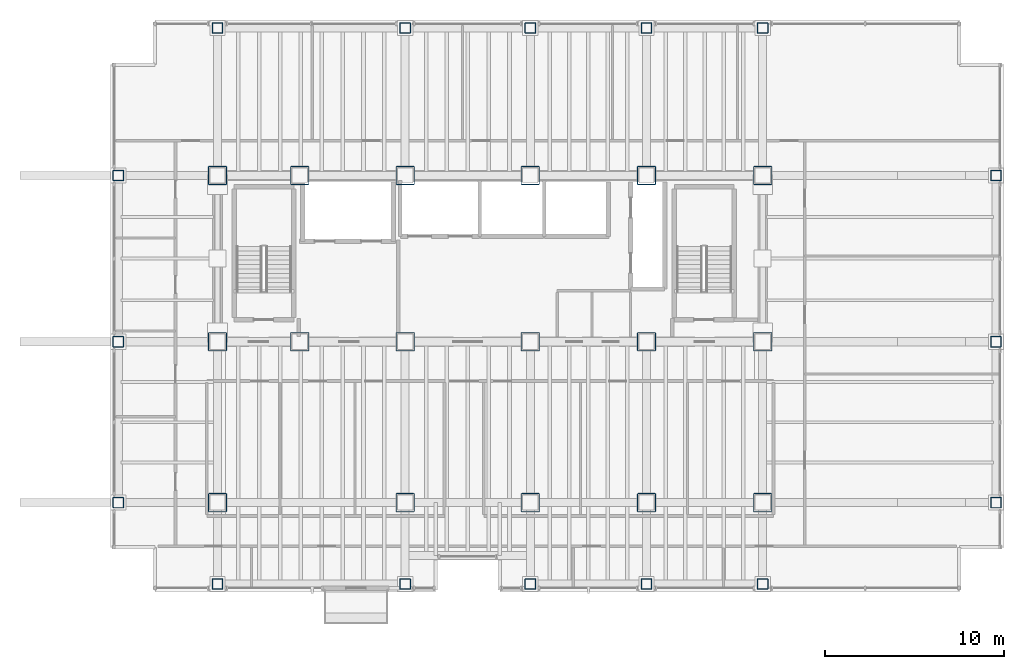
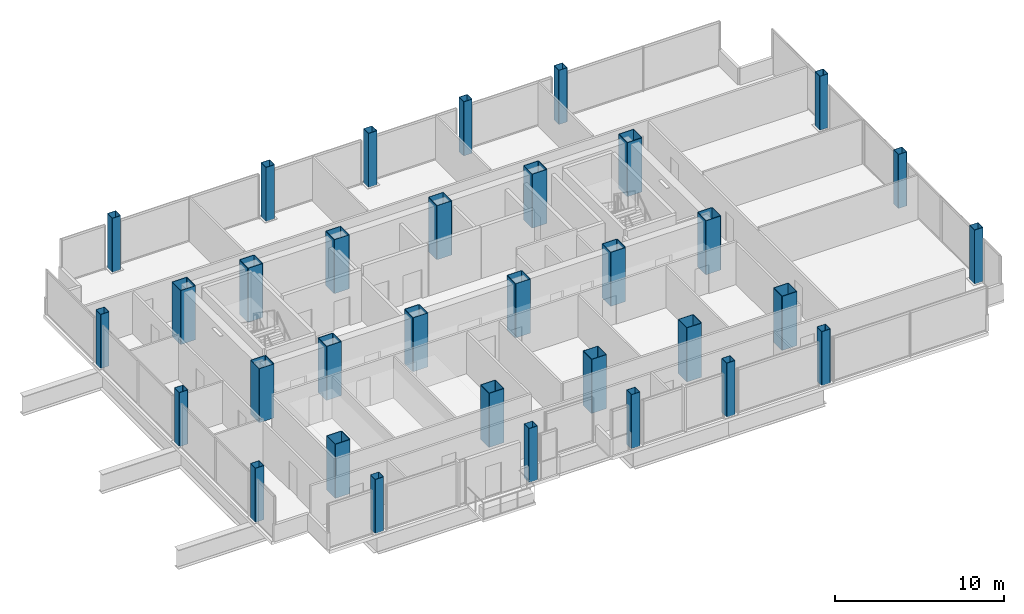
# One storey, part 1 of 23: 33 columns.
"""IFC4 building model written with IfcOpenShell, lengths in metres."""

import ifcopenshell
import ifcopenshell.guid

model = None  # the IFC model being written
_history = None  # IfcOwnerHistory: only IFC2X3 demands one
_inside = {}  # id of a spatial element -> (the spatial element, [elements in it])
_under = {}  # id of a project, library or spatial element -> (it, [spatial elements below it])
_declared = {}  # id of a project -> (the project, [libraries it declares])
_typed = {}  # id of a type object -> (the type object, [elements of that type])
_made_of = {}  # id of a material, layer set ... -> (it, [elements and type objects made of it])


def new_model(schema):
    """Start an empty IFC model of exactly this schema.

    Asked for "IFC4X3", IfcOpenShell would pick the latest addendum, in which some entities
    have other attributes; the version numbers below select the first issue.
    IFC2X3 requires an IfcOwnerHistory on every rooted entity: one is made here for all.
    """
    global model, _history
    if schema == "IFC4X3":
        model = ifcopenshell.file(schema_version=(4, 3, 0, 0))
    else:
        model = ifcopenshell.file(schema=schema)
    _inside.clear()
    _under.clear()
    _declared.clear()
    _typed.clear()
    _made_of.clear()
    _history = None
    if model.schema == "IFC2X3":
        org = make("IfcOrganization", Name="unknown")
        user = make(
            "IfcPersonAndOrganization",
            ThePerson=make("IfcPerson", FamilyName="unknown"),
            TheOrganization=org,
        )
        app = make(
            "IfcApplication",
            ApplicationDeveloper=org,
            Version="unknown",
            ApplicationFullName="unknown",
            ApplicationIdentifier="unknown",
        )
        _history = make(
            "IfcOwnerHistory",
            OwningUser=user,
            OwningApplication=app,
            ChangeAction="ADDED",
            CreationDate=0,
        )
    return model


def make(cls, **values):
    """One entity of the class cls with the attributes given. An attribute that is None is left unset."""
    return model.create_entity(
        cls, **{name: value for name, value in values.items() if value is not None}
    )


def rooted(cls, **values):
    """An entity with a GlobalId (a new one), such as an element, a storey or a relation."""
    return make(cls, GlobalId=ifcopenshell.guid.new(), OwnerHistory=_history, **values)


def si_unit(unit_type, name, prefix=None):
    """IfcSIUnit, for example si_unit("LENGTHUNIT", "METRE", prefix="MILLI")."""
    return make("IfcSIUnit", UnitType=unit_type, Prefix=prefix, Name=name)


def assignment(units):
    """IfcUnitAssignment: the units of a project."""
    return None if units is None else make("IfcUnitAssignment", Units=units)


def point(xyz):
    """IfcCartesianPoint."""
    return None if xyz is None else make("IfcCartesianPoint", Coordinates=xyz)


def direction(xyz):
    """IfcDirection."""
    return None if xyz is None else make("IfcDirection", DirectionRatios=xyz)


def frame(location, z_axis=None, x_axis=None):
    """IfcAxis2Placement3D, a coordinate frame: its origin and axes. An axis left out is left unset."""
    return make(
        "IfcAxis2Placement3D",
        Location=point(location),
        Axis=direction(z_axis),
        RefDirection=direction(x_axis),
    )


def frame_2d(location, x_axis=None):
    """IfcAxis2Placement2D, a coordinate frame in the plane: its origin and x axis."""
    return make(
        "IfcAxis2Placement2D", Location=point(location), RefDirection=direction(x_axis)
    )


def origin():
    """The frame at (0, 0, 0) with its axes left unset."""
    return frame((0.0, 0.0, 0.0))


def origin_2d():
    """The frame at (0, 0) in the plane with its x axis left unset."""
    return frame_2d((0.0, 0.0))


def place(relative_to, where):
    """IfcLocalPlacement: puts the frame where relative to a parent placement (None: the world)."""
    return make(
        "IfcLocalPlacement", PlacementRelTo=relative_to, RelativePlacement=where
    )


def context(
    kind, dimensions, precision=None, world=None, true_north=None, identifier=None
):
    """IfcGeometricRepresentationContext, for example the 3D "Model" context."""
    return make(
        "IfcGeometricRepresentationContext",
        ContextIdentifier=identifier,
        ContextType=kind,
        CoordinateSpaceDimension=dimensions,
        Precision=precision,
        WorldCoordinateSystem=world,
        TrueNorth=true_north,
    )


def subcontext(parent, identifier, kind, view, scale=None):
    """IfcGeometricRepresentationSubContext, for example "Body" below "Model"."""
    return make(
        "IfcGeometricRepresentationSubContext",
        ContextIdentifier=identifier,
        ContextType=kind,
        ParentContext=parent,
        TargetScale=scale,
        TargetView=view,
    )


def project(units=None, contexts=None):
    """IfcProject with its units and contexts."""
    return rooted(
        "IfcProject",
        Name="project",
        RepresentationContexts=contexts,
        UnitsInContext=assignment(units),
    )


def spatial(cls, under=None, at=None, **own):
    """A site, building, storey or space (cls), placed at a placement, below another one or the project."""
    s = rooted(cls, ObjectPlacement=at, **own)
    if under is not None:
        _under.setdefault(under.id(), (under, []))[1].append(s)
    return s


def profile(cls, at=None, kind="AREA", **sizes):
    """A parametric profile (cls). Its sizes go by their IFC names, for example OverallWidth=200.0."""
    return make(cls, ProfileType=kind, Position=at, **sizes)


def hollow_rectangle(**sizes):
    """IfcRectangleHollowProfileDef."""
    return profile("IfcRectangleHollowProfileDef", **sizes)


def extrude(swept, where, along, depth):
    """IfcExtrudedAreaSolid: the profile swept, set in the frame where, extruded along a direction by depth."""
    return make(
        "IfcExtrudedAreaSolid",
        SweptArea=swept,
        Position=where,
        ExtrudedDirection=direction(along),
        Depth=depth,
    )


def shape(context_of_items, identifier, shape_type, items):
    """IfcShapeRepresentation: the items that make up one representation, for example the "Body"."""
    return make(
        "IfcShapeRepresentation",
        ContextOfItems=context_of_items,
        RepresentationIdentifier=identifier,
        RepresentationType=shape_type,
        Items=items,
    )


def material(Name=None, Category=None):
    """IfcMaterial."""
    return make("IfcMaterial", Name=Name, Category=Category)


def material_profile(
    of_material, cross_section, Name=None, Category=None, Priority=None
):
    """IfcMaterialProfile: a cross section and its material."""
    return make(
        "IfcMaterialProfile",
        Name=Name,
        Material=of_material,
        Profile=cross_section,
        Priority=Priority,
        Category=Category,
    )


def profile_set(profiles, Name=None, composite=None):
    """IfcMaterialProfileSet."""
    return make(
        "IfcMaterialProfileSet",
        Name=Name,
        MaterialProfiles=profiles,
        CompositeProfile=composite,
    )


def made_of(thing, what):
    """Note that an element or type object is made of a material, layer set ...; save() writes the relation."""
    if what is not None:
        _made_of.setdefault(what.id(), (what, []))[1].append(thing)
    return thing


def type_object(cls, material=None, **own):
    """A type object (cls), such as IfcWallType, which elements share."""
    return made_of(rooted(cls, **own), material)


def element(
    cls,
    number,
    at=None,
    inside=None,
    cuts=None,
    type_object=None,
    material=None,
    context=None,
    identifier="Body",
    shape_type=None,
    held_by="IfcProductDefinitionShape",
    body=None,
    shapes=None,
    **own,
):
    """One element of the class cls, such as IfcWall. Its Tag is "e" and its number.

    at: its placement. inside: the storey or other place that contains it. cuts: it is an
    opening in that element (IfcRelVoidsElement). A single representation is given by context,
    identifier, shape_type and body (its items); several are given by shapes. held_by: the class
    of the entity that holds the representations. save() writes the other relations.
    """
    e = rooted(cls, Tag="e%d" % number, ObjectPlacement=at, **own)
    if body is not None:
        shapes = [shape(context, identifier, shape_type, body)]
    if shapes is not None:
        e.Representation = make(held_by, Representations=shapes)
    if inside is not None:
        _inside.setdefault(inside.id(), (inside, []))[1].append(e)
    if cuts is not None:
        rooted(
            "IfcRelVoidsElement", RelatingBuildingElement=cuts, RelatedOpeningElement=e
        )
    if type_object is not None:
        _typed.setdefault(type_object.id(), (type_object, []))[1].append(e)
    return made_of(e, material)


def aggregate(whole, parts):
    """IfcRelAggregates: a whole, such as a stair, and the parts it consists of."""
    return rooted("IfcRelAggregates", RelatingObject=whole, RelatedObjects=parts)


def save(model, path):
    """Write the relations noted so far, then the file.

    IfcRelAggregates (storeys below a building ...), IfcRelContainedInSpatialStructure (elements
    in a storey), IfcRelDefinesByType, IfcRelAssociatesMaterial and IfcRelDeclares: one each for
    every whole, place, type object, material and project.
    """
    for whole, parts in _under.values():
        aggregate(whole, parts)
    for where, things in _inside.values():
        rooted(
            "IfcRelContainedInSpatialStructure",
            RelatedElements=things,
            RelatingStructure=where,
        )
    for kind, things in _typed.values():
        rooted("IfcRelDefinesByType", RelatedObjects=things, RelatingType=kind)
    for what, things in _made_of.values():
        rooted("IfcRelAssociatesMaterial", RelatedObjects=things, RelatingMaterial=what)
    for by, libraries in _declared.values():
        rooted("IfcRelDeclares", RelatingContext=by, RelatedDefinitions=libraries)
    model.write(path)


model = new_model("IFC4")

# Units and contexts
model_context = context("Model", 3, precision=1e-05, world=origin(), true_north=direction((0.0, 1.0)))
body_context = subcontext(model_context, "Body", "Model", "MODEL_VIEW")
ifc_project = project(units=[si_unit("LENGTHUNIT", "METRE"), si_unit("AREAUNIT", "SQUARE_METRE"), si_unit("VOLUMEUNIT", "CUBIC_METRE"), si_unit("PLANEANGLEUNIT", "RADIAN"), si_unit("MASSUNIT", "GRAM", prefix="KILO")], contexts=[model_context])

# Site, building, storey
site_placement = place(None, origin())
site = spatial("IfcSite", under=ifc_project, at=site_placement, CompositionType="ELEMENT")
building_placement = place(site_placement, origin())
building = spatial("IfcBuilding", under=site, at=building_placement, Name="Noeulbin Bourse Tower", CompositionType="ELEMENT")
storey_placement = place(building_placement, frame((0.0, 0.0, 53.800048828125)))
storey = spatial("IfcBuildingStorey", under=building, at=storey_placement, Name="L13", CompositionType="ELEMENT", Elevation=53.800048828125)

# Columns
ifc_material = material(Name="Steel S460", Category="steel")
ifc_material_profile_1 = material_profile(ifc_material, hollow_rectangle(XDim=0.60009765625, YDim=0.60009765625, WallThickness=0.02587890625, InnerFilletRadius=0.012939453125, OuterFilletRadius=0.0390625, at=origin_2d()), Name="BOX-600x600x26", Category="LoadBearing")
ifc_profile_set_1 = profile_set([ifc_material_profile_1], Name="Steel S460")
column_type_1 = type_object("IfcColumnType", Name="COL-PER-Z1", PredefinedType="COLUMN", material=ifc_profile_set_1)
for number, where, z_axis, x_axis, name in (
    (1, (7.949951171875, 20.0, 0.0), (0.0, 0.0, 1.0), (1.0, 0.0, 0.0), "Tower Perimeter Column COL-PER-Z1 01"),
    (2, (7.949951171875, 29.0, 0.0), (0.0, 0.0, 1.0), (1.0, 0.0, 0.0), "Tower Perimeter Column COL-PER-Z1 02"),
    (3, (7.949951171875, 38.300048828125, 0.0), (0.0, 0.0, 1.0), (1.0, 0.0, 0.0), "Tower Perimeter Column COL-PER-Z1 03"),
    (4, (13.5, 15.449951171875, 0.0), (0.0, 0.0, 1.0), (1.0, 0.0, 0.0), "Tower Perimeter Column COL-PER-Z1 04"),
    (5, (13.5, 46.550048828125, 0.0), (0.0, 0.0, 1.0), (1.0, 0.0, 0.0), "Tower Perimeter Column COL-PER-Z1 05"),
    (6, (24.0, 15.449951171875, 0.0), (0.0, 0.0, 1.0), (1.0, 0.0, 0.0), "Tower Perimeter Column COL-PER-Z1 06"),
    (7, (24.0, 46.550048828125, 0.0), (0.0, 0.0, 1.0), (1.0, 0.0, 0.0), "Tower Perimeter Column COL-PER-Z1 07"),
    (8, (31.0, 15.449951171875, 0.0), (0.0, 0.0, 1.0), (1.0, 0.0, 0.0), "Tower Perimeter Column COL-PER-Z1 08"),
    (9, (31.0, 46.550048828125, 0.0), (0.0, 0.0, 1.0), (1.0, 0.0, 0.0), "Tower Perimeter Column COL-PER-Z1 09"),
    (10, (37.5, 15.449951171875, 0.0), (0.0, 0.0, 1.0), (1.0, 0.0, 0.0), "Tower Perimeter Column COL-PER-Z1 10"),
    (11, (37.5, 46.550048828125, 0.0), (0.0, 0.0, 1.0), (1.0, 0.0, 0.0), "Tower Perimeter Column COL-PER-Z1 11"),
    (12, (44.0, 15.449951171875, 0.0), (0.0, 0.0, 1.0), (1.0, 0.0, 0.0), "Tower Perimeter Column COL-PER-Z1 12"),
    (13, (44.0, 46.550048828125, 0.0), (0.0, 0.0, 1.0), (1.0, 0.0, 0.0), "Tower Perimeter Column COL-PER-Z1 13"),
    (14, (57.050048828125, 20.0, 0.0), (0.0, 0.0, 1.0), (1.0, 0.0, 0.0), "Tower Perimeter Column COL-PER-Z1 14"),
    (15, (57.050048828125, 29.0, 0.0), (0.0, 0.0, 1.0), (1.0, 0.0, 0.0), "Tower Perimeter Column COL-PER-Z1 15"),
    (16, (57.050048828125, 38.300048828125, 0.0), (0.0, 0.0, 1.0), (1.0, 0.0, 0.0), "Tower Perimeter Column COL-PER-Z1 16"),
):
    element("IfcColumn", number, at=place(storey_placement, frame(where, z_axis=z_axis, x_axis=x_axis)), inside=storey, type_object=column_type_1, Name=name, PredefinedType="COLUMN", context=body_context, shape_type="SweptSolid", body=[
        extrude(hollow_rectangle(XDim=0.60009765625, YDim=0.60009765625, WallThickness=0.02587890625, InnerFilletRadius=0.012939453125, OuterFilletRadius=0.0390625, at=origin_2d()), origin(), (0.0, 0.0, 1.0), 3.89990234375),
    ])
ifc_material_profile_2 = material_profile(ifc_material, hollow_rectangle(XDim=1.050048828125, YDim=1.050048828125, WallThickness=0.0380859375, InnerFilletRadius=0.01904296875, OuterFilletRadius=0.056884765625, at=origin_2d()), Name="BOX-1050x1050x38", Category="LoadBearing")
ifc_profile_set_2 = profile_set([ifc_material_profile_2], Name="Steel S460")
column_type_2 = type_object("IfcColumnType", Name="COL-TRK-Z1", PredefinedType="COLUMN", material=ifc_profile_set_2)
for number, where, z_axis, x_axis, name in (
    (17, (13.5, 29.0, 0.0), (0.0, 0.0, 1.0), (1.0, 0.0, 0.0), "Tower Trunk Mega-Column COL-TRK-Z1 01"),
    (18, (13.5, 38.300048828125, 0.0), (0.0, 0.0, 1.0), (1.0, 0.0, 0.0), "Tower Trunk Mega-Column COL-TRK-Z1 02"),
    (19, (18.10009765625, 29.0, 0.0), (0.0, 0.0, 1.0), (1.0, 0.0, 0.0), "Tower Trunk Mega-Column COL-TRK-Z1 03"),
    (20, (18.10009765625, 38.300048828125, 0.0), (0.0, 0.0, 1.0), (1.0, 0.0, 0.0), "Tower Trunk Mega-Column COL-TRK-Z1 04"),
    (21, (24.0, 29.0, 0.0), (0.0, 0.0, 1.0), (1.0, 0.0, 0.0), "Tower Trunk Mega-Column COL-TRK-Z1 05"),
    (22, (24.0, 38.300048828125, 0.0), (0.0, 0.0, 1.0), (1.0, 0.0, 0.0), "Tower Trunk Mega-Column COL-TRK-Z1 06"),
    (23, (31.0, 29.0, 0.0), (0.0, 0.0, 1.0), (1.0, 0.0, 0.0), "Tower Trunk Mega-Column COL-TRK-Z1 07"),
    (24, (31.0, 38.300048828125, 0.0), (0.0, 0.0, 1.0), (1.0, 0.0, 0.0), "Tower Trunk Mega-Column COL-TRK-Z1 08"),
    (25, (37.5, 29.0, 0.0), (0.0, 0.0, 1.0), (1.0, 0.0, 0.0), "Tower Trunk Mega-Column COL-TRK-Z1 09"),
    (26, (37.5, 38.300048828125, 0.0), (0.0, 0.0, 1.0), (1.0, 0.0, 0.0), "Tower Trunk Mega-Column COL-TRK-Z1 10"),
    (27, (44.0, 29.0, 0.0), (0.0, 0.0, 1.0), (1.0, 0.0, 0.0), "Tower Trunk Mega-Column COL-TRK-Z1 11"),
    (28, (44.0, 38.300048828125, 0.0), (0.0, 0.0, 1.0), (1.0, 0.0, 0.0), "Tower Trunk Mega-Column COL-TRK-Z1 12"),
    (29, (13.5, 20.0, 0.0), (0.0, 0.0, 1.0), (1.0, 0.0, 0.0), "Tower Trunk Mega-Column COL-TRK-Z1 13"),
    (30, (24.0, 20.0, 0.0), (0.0, 0.0, 1.0), (1.0, 0.0, 0.0), "Tower Trunk Mega-Column COL-TRK-Z1 14"),
    (31, (31.0, 20.0, 0.0), (0.0, 0.0, 1.0), (1.0, 0.0, 0.0), "Tower Trunk Mega-Column COL-TRK-Z1 15"),
    (32, (37.5, 20.0, 0.0), (0.0, 0.0, 1.0), (1.0, 0.0, 0.0), "Tower Trunk Mega-Column COL-TRK-Z1 16"),
    (33, (44.0, 20.0, 0.0), (0.0, 0.0, 1.0), (1.0, 0.0, 0.0), "Tower Trunk Mega-Column COL-TRK-Z1 17"),
):
    element("IfcColumn", number, at=place(storey_placement, frame(where, z_axis=z_axis, x_axis=x_axis)), inside=storey, type_object=column_type_2, Name=name, PredefinedType="COLUMN", context=body_context, shape_type="SweptSolid", body=[
        extrude(hollow_rectangle(XDim=1.050048828125, YDim=1.050048828125, WallThickness=0.0380859375, InnerFilletRadius=0.01904296875, OuterFilletRadius=0.056884765625, at=origin_2d()), origin(), (0.0, 0.0, 1.0), 3.89990234375),
    ])

save(model, "model.ifc")
